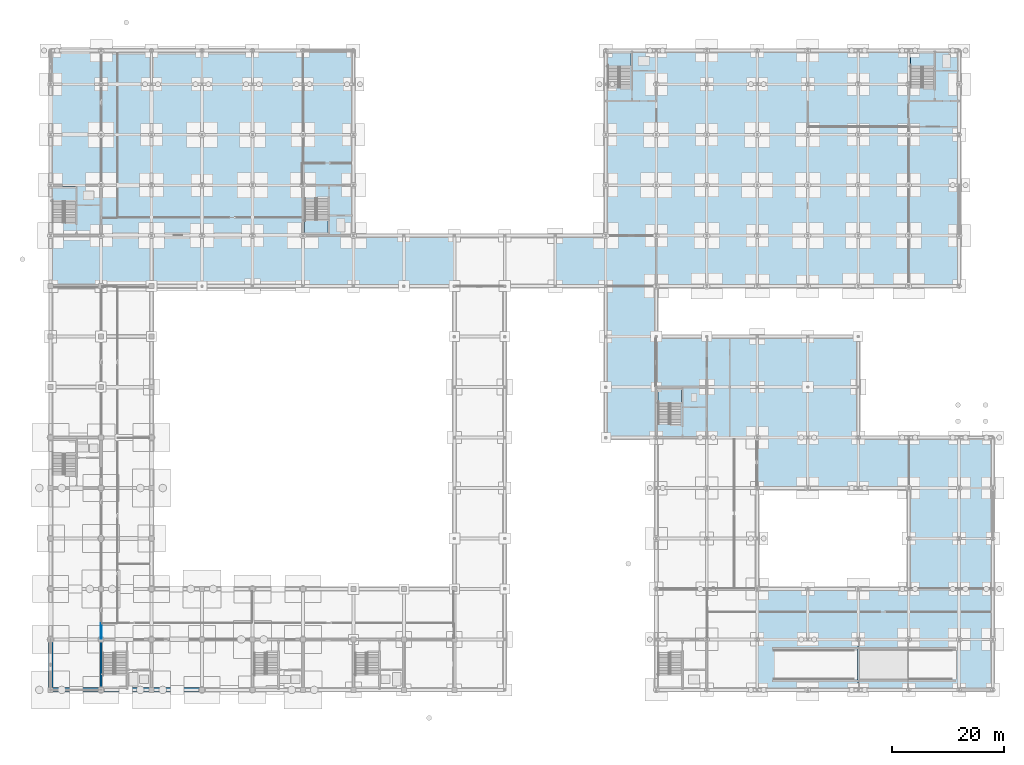
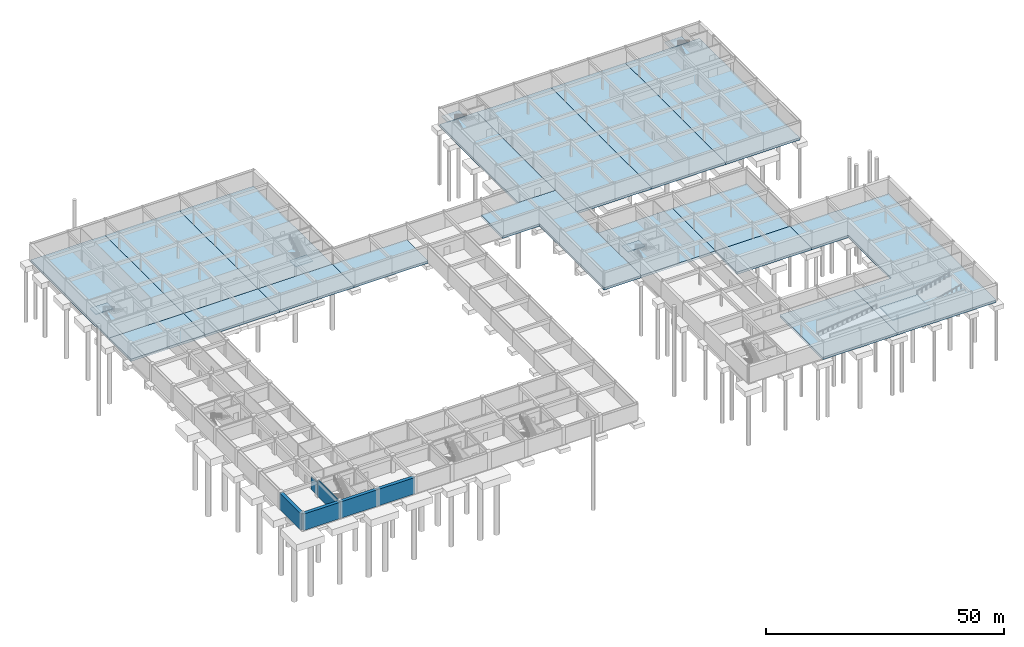
# One storey, part 22 of 41: 23 slabs, 6 walls.
"""IFC4 building model written with IfcOpenShell, lengths in metres."""

from ifc_helpers import new_model, si_unit, direction, frame, frame_2d, origin, place, context, subcontext, project, spatial, polyline, rectangle, outline, extrude, material, layer, layer_set, type_object, element, save


model = new_model("IFC4")

# Units and contexts
model_context = context("Model", 3, precision=1e-05, world=origin(), true_north=direction((0.0, 1.0)))
body_context = subcontext(model_context, "Body", "Model", "MODEL_VIEW")
ifc_project = project(units=[si_unit("LENGTHUNIT", "METRE"), si_unit("AREAUNIT", "SQUARE_METRE"), si_unit("VOLUMEUNIT", "CUBIC_METRE"), si_unit("PLANEANGLEUNIT", "RADIAN"), si_unit("MASSUNIT", "GRAM", prefix="KILO")], contexts=[model_context])

# Site, building, storey
site_placement = place(None, origin())
site = spatial("IfcSite", under=ifc_project, at=site_placement, CompositionType="ELEMENT")
building_placement = place(site_placement, origin())
building = spatial("IfcBuilding", under=site, at=building_placement, Name="Palais des Congres Ocreval", CompositionType="ELEMENT")
storey_placement = place(building_placement, frame((0.0, 0.0, -8.9599609375)))
storey = spatial("IfcBuildingStorey", under=building, at=storey_placement, Name="B2", CompositionType="ELEMENT", Elevation=-8.9599609375)

# Slabs
ifc_material_1 = material(Name="Concrete C35/45", Category="concrete")
ifc_layer_1 = layer(ifc_material_1, 0.60009765625)
ifc_layer_set_1 = layer_set([ifc_layer_1], Name="Foundation Mat Slab 600 Concrete C35/45")
slab_type_1 = type_object("IfcSlabType", Name="Foundation Mat Slab 600 Concrete C35/45", PredefinedType="BASESLAB", material=ifc_layer_set_1)
slab_1_placement = place(storey_placement, frame((0.0, 0.0, -0.60009765625)))
element("IfcSlab", 1, at=slab_1_placement, inside=storey, type_object=slab_type_1, Name="Floor Slab SL01 B2 V1-1", PredefinedType="BASESLAB", context=body_context, shape_type="SweptSolid", body=[
    extrude(outline(polyline([(18.0, 114.0), (18.0, 81.0), (0.0, 81.0), (0.0, 114.0), (18.0, 114.0)])), origin(), (0.0, 0.0, 1.0), 0.60009765625),
])
slab_2_placement = place(storey_placement, frame((0.0, 0.0, -0.60009765625)))
element("IfcSlab", 2, at=slab_2_placement, inside=storey, type_object=slab_type_1, Name="Floor Slab SL01 B2 V1-2", PredefinedType="BASESLAB", context=body_context, shape_type="SweptSolid", body=[
    extrude(outline(polyline([(36.0, 114.0), (36.0, 81.0), (18.0, 81.0), (18.0, 114.0), (36.0, 114.0)])), origin(), (0.0, 0.0, 1.0), 0.60009765625),
])
slab_3_placement = place(storey_placement, frame((0.0, 0.0, -0.60009765625)))
element("IfcSlab", 3, at=slab_3_placement, inside=storey, type_object=slab_type_1, Name="Floor Slab SL01 B2 V1-3", PredefinedType="BASESLAB", context=body_context, shape_type="SweptSolid", body=[
    extrude(outline(polyline([(54.0, 81.0), (36.0, 81.0), (36.0, 114.0), (54.0, 114.0), (54.0, 81.0)])), origin(), (0.0, 0.0, 1.0), 0.60009765625),
])
slab_4_placement = place(storey_placement, frame((0.0, 0.0, -0.60009765625)))
element("IfcSlab", 4, at=slab_4_placement, inside=storey, type_object=slab_type_1, Name="Floor Slab SL01 B2 V2-1", PredefinedType="BASESLAB", context=body_context, shape_type="SweptSolid", body=[
    extrude(outline(polyline([(99.0, 81.0), (99.0, 114.0), (108.0, 114.0), (108.0, 81.0), (99.0, 81.0)])), origin(), (0.0, 0.0, 1.0), 0.60009765625),
])
slab_5_placement = place(storey_placement, frame((0.0, 0.0, -0.60009765625)))
element("IfcSlab", 5, at=slab_5_placement, inside=storey, type_object=slab_type_1, Name="Floor Slab SL01 B2 V2-2", PredefinedType="BASESLAB", context=body_context, shape_type="SweptSolid", body=[
    extrude(outline(polyline([(108.0, 72.0), (108.0, 81.0), (108.0, 114.0), (126.0, 114.0), (126.0, 72.0), (108.0, 72.0)])), origin(), (0.0, 0.0, 1.0), 0.60009765625),
])
slab_6_placement = place(storey_placement, frame((0.0, 0.0, -0.60009765625)))
element("IfcSlab", 6, at=slab_6_placement, inside=storey, type_object=slab_type_1, Name="Floor Slab SL01 B2 V2-3", PredefinedType="BASESLAB", context=body_context, shape_type="SweptSolid", body=[
    extrude(outline(polyline([(126.0, 72.0), (126.0, 114.0), (144.0, 114.0), (144.0, 72.0), (126.0, 72.0)])), origin(), (0.0, 0.0, 1.0), 0.60009765625),
])
slab_7_placement = place(storey_placement, frame((0.0, 0.0, -0.60009765625)))
element("IfcSlab", 7, at=slab_7_placement, inside=storey, type_object=slab_type_1, Name="Floor Slab SL01 B2 V2-4", PredefinedType="BASESLAB", context=body_context, shape_type="SweptSolid", body=[
    extrude(outline(polyline([(162.0, 72.0), (144.0, 72.0), (144.0, 114.0), (162.0, 114.0), (162.0, 72.0)])), origin(), (0.0, 0.0, 1.0), 0.60009765625),
])
slab_8_placement = place(storey_placement, frame((0.0, 0.0, -0.60009765625)))
element("IfcSlab", 8, at=slab_8_placement, inside=storey, type_object=slab_type_1, Name="Floor Slab SL01 B2 V3-2", PredefinedType="BASESLAB", context=body_context, shape_type="SweptSolid", body=[
    extrude(outline(polyline([(126.0, 0.0), (126.0, 18.0), (144.0, 18.0), (144.0, 0.0), (126.0, 0.0)])), origin(), (0.0, 0.0, 1.0), 0.60009765625),
])
slab_9_placement = place(storey_placement, frame((0.0, 0.0, -0.60009765625)))
element("IfcSlab", 9, at=slab_9_placement, inside=storey, type_object=slab_type_1, Name="Floor Slab SL01 B2 V3-3", PredefinedType="BASESLAB", context=body_context, shape_type="SweptSolid", body=[
    extrude(outline(polyline([(144.0, 45.0), (144.0, 36.0), (126.0, 36.0), (126.0, 45.0), (144.0, 45.0)])), origin(), (0.0, 0.0, 1.0), 0.60009765625),
])
slab_10_placement = place(storey_placement, frame((0.0, 0.0, -0.60009765625)))
element("IfcSlab", 10, at=slab_10_placement, inside=storey, type_object=slab_type_1, Name="Floor Slab SL01 B2 V3-4", PredefinedType="BASESLAB", context=body_context, shape_type="SweptSolid", body=[
    extrude(outline(polyline([(144.0, 0.0), (144.0, 18.0), (153.0, 18.0), (153.0, 36.0), (144.0, 36.0), (144.0, 45.0), (153.0, 45.0), (168.0, 45.0), (168.0, 18.0), (168.0, 0.0), (144.0, 0.0)])), origin(), (0.0, 0.0, 1.0), 0.60009765625),
])
slab_11_placement = place(storey_placement, frame((0.0, 0.0, -0.60009765625)))
element("IfcSlab", 11, at=slab_11_placement, inside=storey, type_object=slab_type_1, Name="Floor Slab SL01 B2 V5-1", PredefinedType="BASESLAB", context=body_context, shape_type="SweptSolid", body=[
    extrude(outline(polyline([(0.0, 72.0), (0.0, 81.0), (18.0, 81.0), (18.0, 72.0), (0.0, 72.0)])), origin(), (0.0, 0.0, 1.0), 0.60009765625),
])
slab_12_placement = place(storey_placement, frame((0.0, 0.0, -0.60009765625)))
element("IfcSlab", 12, at=slab_12_placement, inside=storey, type_object=slab_type_1, Name="Floor Slab SL01 B2 V5-2", PredefinedType="BASESLAB", context=body_context, shape_type="SweptSolid", body=[
    extrude(outline(polyline([(18.0, 72.0), (18.0, 81.0), (36.0, 81.0), (36.0, 72.0), (18.0, 72.0)])), origin(), (0.0, 0.0, 1.0), 0.60009765625),
])
slab_13_placement = place(storey_placement, frame((0.0, 0.0, -0.60009765625)))
element("IfcSlab", 13, at=slab_13_placement, inside=storey, type_object=slab_type_1, Name="Floor Slab SL01 B2 V5-3", PredefinedType="BASESLAB", context=body_context, shape_type="SweptSolid", body=[
    extrude(outline(polyline([(36.0, 72.0), (36.0, 81.0), (54.0, 81.0), (54.0, 72.0), (36.0, 72.0)])), origin(), (0.0, 0.0, 1.0), 0.60009765625),
])
slab_14_placement = place(storey_placement, frame((0.0, 0.0, -0.60009765625)))
element("IfcSlab", 14, at=slab_14_placement, inside=storey, type_object=slab_type_1, Name="Floor Slab SL01 B2 V5-4", PredefinedType="BASESLAB", context=body_context, shape_type="SweptSolid", body=[
    extrude(outline(polyline([(54.0, 72.0), (54.0, 81.0), (72.0, 81.0), (72.0, 72.0), (54.0, 72.0)])), origin(), (0.0, 0.0, 1.0), 0.60009765625),
])
slab_15_placement = place(storey_placement, frame((0.0, 0.0, -0.60009765625)))
element("IfcSlab", 15, at=slab_15_placement, inside=storey, type_object=slab_type_1, Name="Floor Slab SL01 B2 V5-6", PredefinedType="BASESLAB", context=body_context, shape_type="SweptSolid", body=[
    extrude(outline(polyline([(99.0, 81.0), (108.0, 81.0), (108.0, 72.0), (108.0, 63.0), (108.0, 45.0), (99.0, 45.0), (99.0, 72.0), (90.0, 72.0), (90.0, 81.0), (99.0, 81.0)])), origin(), (0.0, 0.0, 1.0), 0.60009765625),
])
slab_16_placement = place(storey_placement, frame((0.0, 0.0, -0.60009765625)))
element("IfcSlab", 16, at=slab_16_placement, inside=storey, type_object=slab_type_1, Name="Floor Slab SL01 B2 V5-7", PredefinedType="BASESLAB", context=body_context, shape_type="SweptSolid", body=[
    extrude(outline(polyline([(126.0, 63.0), (126.0, 45.0), (108.0, 45.0), (108.0, 63.0), (126.0, 63.0)])), origin(), (0.0, 0.0, 1.0), 0.60009765625),
])
slab_17_placement = place(storey_placement, frame((0.0, 0.0, -0.60009765625)))
element("IfcSlab", 17, at=slab_17_placement, inside=storey, type_object=slab_type_1, Name="Floor Slab SL01 B2 V5-8", PredefinedType="BASESLAB", context=body_context, shape_type="SweptSolid", body=[
    extrude(outline(polyline([(144.0, 63.0), (144.0, 45.0), (126.0, 45.0), (126.0, 63.0), (144.0, 63.0)])), origin(), (0.0, 0.0, 1.0), 0.60009765625),
])
ifc_material_2 = material(Name="Concrete C40/50", Category="concrete")
ifc_layer_2 = layer(ifc_material_2, 0.199951171875)
ifc_layer_set_2 = layer_set([ifc_layer_2], Name="Stair and Ramp Landing Slab 200 Concrete C40/50")
slab_type_2 = type_object("IfcSlabType", Name="Stair and Ramp Landing Slab 200 Concrete C40/50", PredefinedType="LANDING", material=ifc_layer_set_2)
slab_18_placement = place(storey_placement, frame((0.0, 0.0, 2.0400390625)))
element("IfcSlab", 18, at=slab_18_placement, inside=storey, type_object=slab_type_2, Name="Stair Half-Landing ST05 B2", PredefinedType="LANDING", context=body_context, shape_type="SweptSolid", body=[
    extrude(outline(polyline([(0.300048828125, 87.1201171875), (4.5, 87.1201171875), (4.5, 89.699951171875), (0.300048828125, 89.699951171875), (0.300048828125, 87.1201171875)])), origin(), (0.0, 0.0, 1.0), 0.199951171875),
])
slab_19_placement = place(storey_placement, frame((0.0, 0.0, 2.0400390625)))
element("IfcSlab", 19, at=slab_19_placement, inside=storey, type_object=slab_type_2, Name="Stair Half-Landing ST06 B2", PredefinedType="LANDING", context=body_context, shape_type="SweptSolid", body=[
    extrude(outline(polyline([(45.300048828125, 81.300048828125), (49.5, 81.300048828125), (49.5, 83.8798828125), (45.300048828125, 83.8798828125), (45.300048828125, 81.300048828125)])), origin(), (0.0, 0.0, 1.0), 0.199951171875),
])
slab_20_placement = place(storey_placement, frame((0.0, 0.0, 2.0400390625)))
element("IfcSlab", 20, at=slab_20_placement, inside=storey, type_object=slab_type_2, Name="Stair Half-Landing ST07 B2", PredefinedType="LANDING", context=body_context, shape_type="SweptSolid", body=[
    extrude(outline(polyline([(99.300048828125, 111.1201171875), (103.5, 111.1201171875), (103.5, 113.699951171875), (99.300048828125, 113.699951171875), (99.300048828125, 111.1201171875)])), origin(), (0.0, 0.0, 1.0), 0.199951171875),
])
slab_21_placement = place(storey_placement, frame((0.0, 0.0, 2.0400390625)))
element("IfcSlab", 21, at=slab_21_placement, inside=storey, type_object=slab_type_2, Name="Stair Half-Landing ST08 B2", PredefinedType="LANDING", context=body_context, shape_type="SweptSolid", body=[
    extrude(outline(polyline([(153.300048828125, 111.1201171875), (157.5, 111.1201171875), (157.5, 113.699951171875), (153.300048828125, 113.699951171875), (153.300048828125, 111.1201171875)])), origin(), (0.0, 0.0, 1.0), 0.199951171875),
])
slab_22_placement = place(storey_placement, frame((0.0, 0.0, 2.0400390625)))
element("IfcSlab", 22, at=slab_22_placement, inside=storey, type_object=slab_type_2, Name="Stair Half-Landing ST10 B2", PredefinedType="LANDING", context=body_context, shape_type="SweptSolid", body=[
    extrude(outline(polyline([(108.300048828125, 51.1201171875), (112.5, 51.1201171875), (112.5, 53.699951171875), (108.300048828125, 53.699951171875), (108.300048828125, 51.1201171875)])), origin(), (0.0, 0.0, 1.0), 0.199951171875),
])
slab_23_placement = place(storey_placement, frame((0.0, 0.0, 2.0400390625)))
element("IfcSlab", 23, at=slab_23_placement, inside=storey, type_object=slab_type_2, Name="Lower basement vehicle ramp R2 Mid-Landing", PredefinedType="LANDING", context=body_context, shape_type="SweptSolid", body=[
    extrude(outline(polyline([(143.89990234375, 1.699951171875), (153.10009765625, 1.699951171875), (153.10009765625, 7.300048828125), (143.89990234375, 7.300048828125), (143.89990234375, 1.699951171875)])), origin(), (0.0, 0.0, 1.0), 0.199951171875),
])

# Walls
ifc_layer_3 = layer(ifc_material_2, 0.300048828125)
ifc_layer_set_3 = layer_set([ifc_layer_3], Name="Core Shear Wall 300 Concrete C40/50")
wall_type_1 = type_object("IfcWallType", Name="Core Shear Wall 300 Concrete C40/50", PredefinedType="SHEAR", material=ifc_layer_set_3)
wall_1_placement = place(storey_placement, frame((9.0, 0.0, 0.0), z_axis=(0.0, 0.0, 1.0), x_axis=(0.0, 1.0, 0.0)))
element("IfcWall", 24, at=wall_1_placement, inside=storey, type_object=wall_type_1, Name="Core Shear Wall SC01 B2 W", PredefinedType="SHEAR", context=body_context, shape_type="SweptSolid", body=[
    extrude(rectangle(XDim=9.0, YDim=0.300048828125, at=frame_2d((4.5, 0.0))), origin(), (0.0, 0.0, 1.0), 4.199951171875),
])
ifc_material_3 = material(Name="Gypsum acoustic partition")
ifc_layer_4 = layer(ifc_material_3, 0.159912109375)
ifc_layer_set_4 = layer_set([ifc_layer_4], Name="Corridor Fire Partition 160 Gypsum (Gypsum acoustic partition)")
wall_type_2 = type_object("IfcWallType", Name="Corridor Fire Partition 160 Gypsum", PredefinedType="PARTITIONING", material=ifc_layer_set_4)
wall_2_placement = place(storey_placement, frame((9.06494140625, 9.155029296875, 0.0), z_axis=(0.0, 0.0, 1.0), x_axis=(0.0, 1.0, 0.0)))
element("IfcWall", 25, at=wall_2_placement, inside=storey, type_object=wall_type_2, Name="Interior Partition IW03 B2", PredefinedType="PARTITIONING", context=body_context, shape_type="SweptSolid", body=[
    extrude(rectangle(XDim=2.77490234375, YDim=0.159912109375, at=frame_2d((1.387451171875, 0.0))), origin(), (0.0, 0.0, 1.0), 3.300048828125),
])
ifc_layer_5 = layer(ifc_material_1, 0.800048828125)
ifc_layer_set_5 = layer_set([ifc_layer_5], Name="Retaining Diaphragm Wall 800 Concrete C35/45")
wall_type_3 = type_object("IfcWallType", Name="Retaining Diaphragm Wall 800 Concrete C35/45", PredefinedType="USERDEFINED", material=ifc_layer_set_5)
for number, where, z_axis, x_axis, name in (
    (26, (27.0, 0.0, 0.0), (0.0, 0.0, 1.0), (-1.0, 0.0, 0.0), "Basement Diaphragm Wall RW01 B2"),
    (27, (18.0, 0.0, 0.0), (0.0, 0.0, 1.0), (-1.0, 0.0, 0.0), "Basement Diaphragm Wall RW01 B2"),
    (28, (9.0, 0.0, 0.0), (0.0, 0.0, 1.0), (-1.0, 0.0, 0.0), "Basement Diaphragm Wall RW01 B2"),
    (29, (0.0, 0.0, 0.0), (0.0, 0.0, 1.0), (0.0, 1.0, 0.0), "Basement Diaphragm Wall RW01 B2"),
):
    element("IfcWall", number, at=place(storey_placement, frame(where, z_axis=z_axis, x_axis=x_axis)), inside=storey, type_object=wall_type_3, Name=name, ObjectType="RETAININGWALL", PredefinedType="USERDEFINED", context=body_context, shape_type="SweptSolid", body=[
        extrude(rectangle(XDim=9.0, YDim=0.800048828125, at=frame_2d((4.5, 0.0))), origin(), (0.0, 0.0, 1.0), 4.199951171875),
    ])

save(model, "model.ifc")
